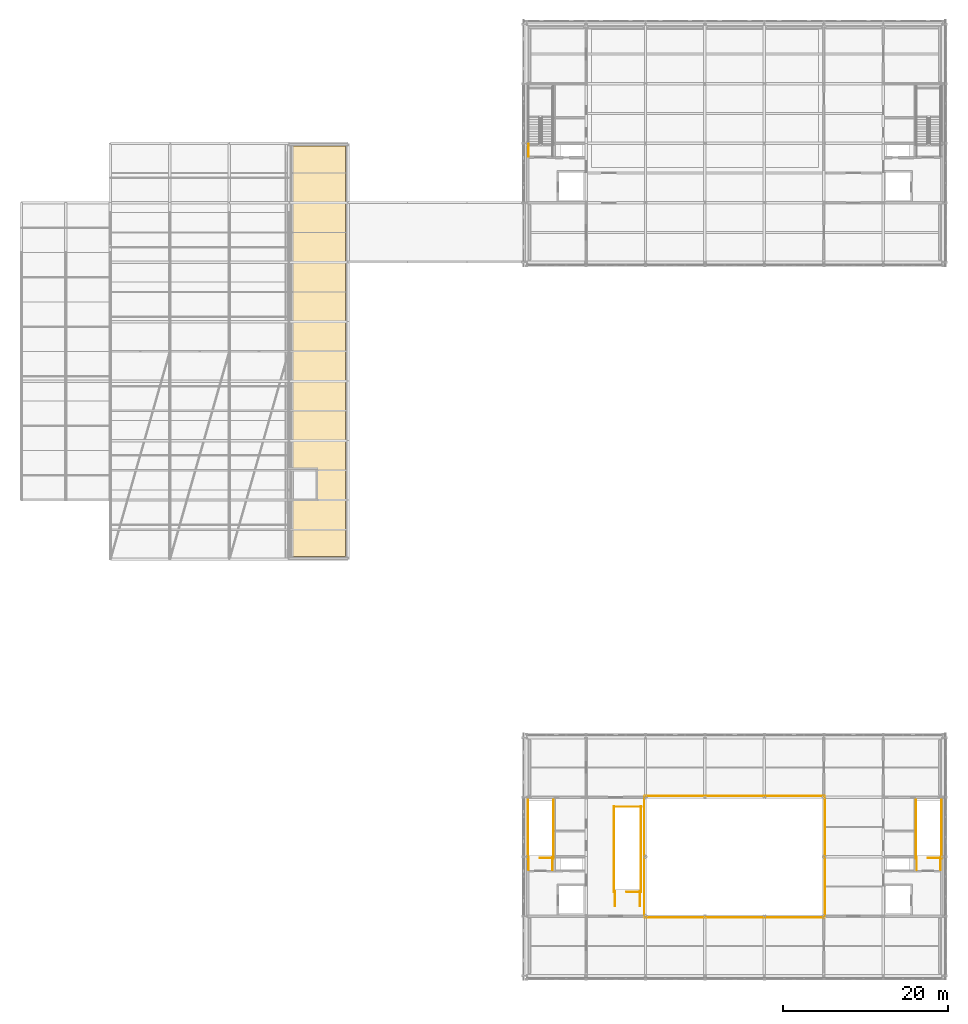
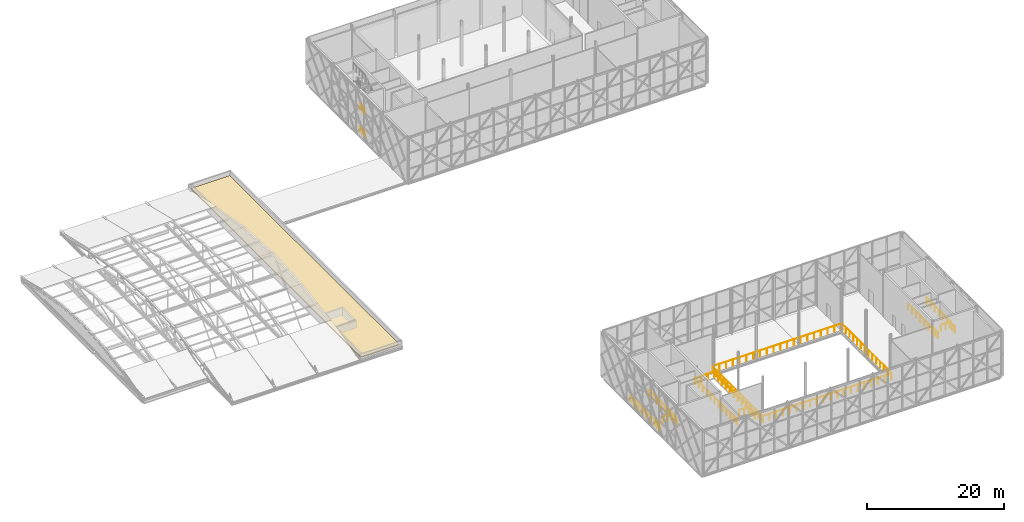
# One storey, part 74 of 76: 22 railings, 1 covering.
"""IFC4 building model written with IfcOpenShell, lengths in metres."""

from ifc_helpers import new_model, si_unit, direction, frame, origin, origin_2d, place, context, subcontext, project, spatial, polyline, circle, outline, extrude, material, layer, layer_set, type_object, element, save


model = new_model("IFC4")

# Units and contexts
model_context = context("Model", 3, precision=1e-05, world=origin(), true_north=direction((0.0, 1.0)))
body_context = subcontext(model_context, "Body", "Model", "MODEL_VIEW")
ifc_project = project(units=[si_unit("LENGTHUNIT", "METRE"), si_unit("AREAUNIT", "SQUARE_METRE"), si_unit("VOLUMEUNIT", "CUBIC_METRE"), si_unit("PLANEANGLEUNIT", "RADIAN"), si_unit("MASSUNIT", "GRAM", prefix="KILO")], contexts=[model_context])

# Site, building, storey
site_placement = place(None, origin())
site = spatial("IfcSite", under=ifc_project, at=site_placement, CompositionType="ELEMENT")
building_placement = place(site_placement, origin())
building = spatial("IfcBuilding", under=site, at=building_placement, Name="Zlatovets Crest Museum", CompositionType="ELEMENT")
storey_placement = place(building_placement, frame((0.0, 0.0, 17.10009765625)))
storey = spatial("IfcBuildingStorey", under=building, at=storey_placement, Name="L04", CompositionType="ELEMENT", Elevation=17.10009765625)

# Railings
ifc_material_1 = material(Name="Art Nouveau bronze and laminated glass atrium balustrade", Category="glass")
railing_type_1 = type_object("IfcRailingType", Name="AtriumGuard_AG01", PredefinedType="BALUSTRADE", material=ifc_material_1)
railing_1_placement = place(storey_placement, frame((71.39990234375, 10.14990234375, 0.0)))
element("IfcRailing", 1, at=railing_1_placement, inside=storey, type_object=railing_type_1, Name="L04 ST6 top well guard 1", PredefinedType="BALUSTRADE", context=body_context, shape_type="SweptSolid", body=[
    extrude(circle(Radius=0.02392578125, at=origin_2d()), frame((0.0, 0.0, 1.076171875), z_axis=(-1.0, 0.0, 0.0), x_axis=(0.0, -1.0, 0.0)), (0.0, 0.0, 1.0), 1.699951171875),
    extrude(circle(Radius=0.02099609375, at=origin_2d()), origin(), (0.0, 0.0, 1.0), 1.052001953125),
    extrude(circle(Radius=0.02099609375, at=origin_2d()), frame((-0.85009765625, 0.0, 0.0)), (0.0, 0.0, 1.0), 1.052001953125),
    extrude(circle(Radius=0.02099609375, at=origin_2d()), frame((-1.699951171875, 0.0, 0.0)), (0.0, 0.0, 1.0), 1.052001953125),
])
for number, where, name in (
    (2, (71.449951171875, 10.10009765625, 0.0), "L04 ST6 top well guard 2"),
    (3, (68.199951171875, 10.10009765625, 0.0), "L04 ST6 top well guard 3"),
):
    element("IfcRailing", number, at=place(storey_placement, frame(where)), inside=storey, type_object=railing_type_1, Name=name, PredefinedType="BALUSTRADE", context=body_context, shape_type="SweptSolid", body=[
        extrude(circle(Radius=0.02392578125, at=origin_2d()), frame((0.0, 0.0, 1.076171875), z_axis=(0.0, 1.0, 0.0), x_axis=(-1.0, 0.0, 0.0)), (0.0, 0.0, 1.0), 10.39990234375),
        extrude(circle(Radius=0.02099609375, at=origin_2d()), origin(), (0.0, 0.0, 1.0), 1.052001953125),
        extrude(circle(Radius=0.02099609375, at=origin_2d()), frame((0.0, 1.155517578125, 0.0)), (0.0, 0.0, 1.0), 1.052001953125),
        extrude(circle(Radius=0.02099609375, at=origin_2d()), frame((0.0, 2.31103515625, 0.0)), (0.0, 0.0, 1.0), 1.052001953125),
        extrude(circle(Radius=0.02099609375, at=origin_2d()), frame((0.0, 3.466552734375, 0.0)), (0.0, 0.0, 1.0), 1.052001953125),
        extrude(circle(Radius=0.02099609375, at=origin_2d()), frame((0.0, 4.6220703125, 0.0)), (0.0, 0.0, 1.0), 1.052001953125),
        extrude(circle(Radius=0.02099609375, at=origin_2d()), frame((0.0, 5.77783203125, 0.0)), (0.0, 0.0, 1.0), 1.052001953125),
        extrude(circle(Radius=0.02099609375, at=origin_2d()), frame((0.0, 6.933349609375, 0.0)), (0.0, 0.0, 1.0), 1.052001953125),
        extrude(circle(Radius=0.02099609375, at=origin_2d()), frame((0.0, 8.0888671875, 0.0)), (0.0, 0.0, 1.0), 1.052001953125),
        extrude(circle(Radius=0.02099609375, at=origin_2d()), frame((0.0, 9.244384765625, 0.0)), (0.0, 0.0, 1.0), 1.052001953125),
        extrude(circle(Radius=0.02099609375, at=origin_2d()), frame((0.0, 10.39990234375, 0.0)), (0.0, 0.0, 1.0), 1.052001953125),
    ])
railing_2_placement = place(storey_placement, frame((71.5, 20.449951171875, 0.0)))
element("IfcRailing", 4, at=railing_2_placement, inside=storey, type_object=railing_type_1, Name="L04 ST6 top well guard 4", PredefinedType="BALUSTRADE", context=body_context, shape_type="SweptSolid", body=[
    extrude(circle(Radius=0.02392578125, at=origin_2d()), frame((0.0, 0.0, 1.076171875), z_axis=(-1.0, 0.0, 0.0), x_axis=(0.0, -1.0, 0.0)), (0.0, 0.0, 1.0), 3.35009765625),
    extrude(circle(Radius=0.02099609375, at=origin_2d()), origin(), (0.0, 0.0, 1.0), 1.052001953125),
    extrude(circle(Radius=0.02099609375, at=origin_2d()), frame((-1.11669921875, 0.0, 0.0)), (0.0, 0.0, 1.0), 1.052001953125),
    extrude(circle(Radius=0.02099609375, at=origin_2d()), frame((-2.2333984375, 0.0, 0.0)), (0.0, 0.0, 1.0), 1.052001953125),
    extrude(circle(Radius=0.02099609375, at=origin_2d()), frame((-3.35009765625, 0.0, 0.0)), (0.0, 0.0, 1.0), 1.052001953125),
])
for number, where, name in (
    (5, (71.35009765625, 8.39990234375, 0.0), "L04 ST6 top well guard 5"),
    (6, (68.300048828125, 8.39990234375, 0.0), "L04 ST6 top well guard 6"),
):
    element("IfcRailing", number, at=place(storey_placement, frame(where)), inside=storey, type_object=railing_type_1, Name=name, PredefinedType="BALUSTRADE", context=body_context, shape_type="SweptSolid", body=[
        extrude(circle(Radius=0.02392578125, at=origin_2d()), frame((0.0, 0.0, 1.076171875), z_axis=(0.0, 1.0, 0.0), x_axis=(-1.0, 0.0, 0.0)), (0.0, 0.0, 1.0), 1.800048828125),
        extrude(circle(Radius=0.02099609375, at=origin_2d()), origin(), (0.0, 0.0, 1.0), 1.052001953125),
        extrude(circle(Radius=0.02099609375, at=origin_2d()), frame((0.0, 0.89990234375, 0.0)), (0.0, 0.0, 1.0), 1.052001953125),
        extrude(circle(Radius=0.02099609375, at=origin_2d()), frame((0.0, 1.800048828125, 0.0)), (0.0, 0.0, 1.0), 1.052001953125),
    ])
railing_3_placement = place(storey_placement, frame((71.929931640625, 7.050048828125, 0.0)))
element("IfcRailing", 7, at=railing_3_placement, inside=storey, type_object=railing_type_1, Name="Atrium Void Balustrade L04 S", PredefinedType="BALUSTRADE", context=body_context, shape_type="SweptSolid", body=[
    extrude(circle(Radius=0.02392578125, at=origin_2d()), frame((0.0, 0.0, 1.1259765625), z_axis=(1.0, 0.0, 0.0), x_axis=(0.0, 1.0, 0.0)), (0.0, 0.0, 1.0), 21.739990234375),
    extrude(circle(Radius=0.02099609375, at=origin_2d()), origin(), (0.0, 0.0, 1.0), 1.101806640625),
    extrude(circle(Radius=0.02099609375, at=origin_2d()), frame((1.144287109375, 0.0, 0.0)), (0.0, 0.0, 1.0), 1.101806640625),
    extrude(circle(Radius=0.02099609375, at=origin_2d()), frame((2.288330078125, 0.0, 0.0)), (0.0, 0.0, 1.0), 1.101806640625),
    extrude(circle(Radius=0.02099609375, at=origin_2d()), frame((3.4326171875, 0.0, 0.0)), (0.0, 0.0, 1.0), 1.101806640625),
    extrude(circle(Radius=0.02099609375, at=origin_2d()), frame((4.576904296875, 0.0, 0.0)), (0.0, 0.0, 1.0), 1.101806640625),
    extrude(circle(Radius=0.02099609375, at=origin_2d()), frame((5.720947265625, 0.0, 0.0)), (0.0, 0.0, 1.0), 1.101806640625),
    extrude(circle(Radius=0.02099609375, at=origin_2d()), frame((6.865234375, 0.0, 0.0)), (0.0, 0.0, 1.0), 1.101806640625),
    extrude(circle(Radius=0.02099609375, at=origin_2d()), frame((8.009521484375, 0.0, 0.0)), (0.0, 0.0, 1.0), 1.101806640625),
    extrude(circle(Radius=0.02099609375, at=origin_2d()), frame((9.153564453125, 0.0, 0.0)), (0.0, 0.0, 1.0), 1.101806640625),
    extrude(circle(Radius=0.02099609375, at=origin_2d()), frame((10.2978515625, 0.0, 0.0)), (0.0, 0.0, 1.0), 1.101806640625),
    extrude(circle(Radius=0.02099609375, at=origin_2d()), frame((11.442138671875, 0.0, 0.0)), (0.0, 0.0, 1.0), 1.101806640625),
    extrude(circle(Radius=0.02099609375, at=origin_2d()), frame((12.58642578125, 0.0, 0.0)), (0.0, 0.0, 1.0), 1.101806640625),
    extrude(circle(Radius=0.02099609375, at=origin_2d()), frame((13.73046875, 0.0, 0.0)), (0.0, 0.0, 1.0), 1.101806640625),
    extrude(circle(Radius=0.02099609375, at=origin_2d()), frame((14.874755859375, 0.0, 0.0)), (0.0, 0.0, 1.0), 1.101806640625),
    extrude(circle(Radius=0.02099609375, at=origin_2d()), frame((16.01904296875, 0.0, 0.0)), (0.0, 0.0, 1.0), 1.101806640625),
    extrude(circle(Radius=0.02099609375, at=origin_2d()), frame((17.1630859375, 0.0, 0.0)), (0.0, 0.0, 1.0), 1.101806640625),
    extrude(circle(Radius=0.02099609375, at=origin_2d()), frame((18.307373046875, 0.0, 0.0)), (0.0, 0.0, 1.0), 1.101806640625),
    extrude(circle(Radius=0.02099609375, at=origin_2d()), frame((19.45166015625, 0.0, 0.0)), (0.0, 0.0, 1.0), 1.101806640625),
    extrude(circle(Radius=0.02099609375, at=origin_2d()), frame((20.595703125, 0.0, 0.0)), (0.0, 0.0, 1.0), 1.101806640625),
    extrude(circle(Radius=0.02099609375, at=origin_2d()), frame((21.739990234375, 0.0, 0.0)), (0.0, 0.0, 1.0), 1.101806640625),
])
railing_4_placement = place(storey_placement, frame((93.75, 7.1298828125, 0.0)))
element("IfcRailing", 8, at=railing_4_placement, inside=storey, type_object=railing_type_1, Name="Atrium Void Balustrade L04 E", PredefinedType="BALUSTRADE", context=body_context, shape_type="SweptSolid", body=[
    extrude(circle(Radius=0.02392578125, at=origin_2d()), frame((0.0, 0.0, 1.1259765625), z_axis=(0.0, 1.0, 0.0), x_axis=(-1.0, 0.0, 0.0)), (0.0, 0.0, 1.0), 14.5400390625),
    extrude(circle(Radius=0.02099609375, at=origin_2d()), origin(), (0.0, 0.0, 1.0), 1.101806640625),
    extrude(circle(Radius=0.02099609375, at=origin_2d()), frame((0.0, 1.118408203125, 0.0)), (0.0, 0.0, 1.0), 1.101806640625),
    extrude(circle(Radius=0.02099609375, at=origin_2d()), frame((0.0, 2.23681640625, 0.0)), (0.0, 0.0, 1.0), 1.101806640625),
    extrude(circle(Radius=0.02099609375, at=origin_2d()), frame((0.0, 3.35546875, 0.0)), (0.0, 0.0, 1.0), 1.101806640625),
    extrude(circle(Radius=0.02099609375, at=origin_2d()), frame((0.0, 4.473876953125, 0.0)), (0.0, 0.0, 1.0), 1.101806640625),
    extrude(circle(Radius=0.02099609375, at=origin_2d()), frame((0.0, 5.59228515625, 0.0)), (0.0, 0.0, 1.0), 1.101806640625),
    extrude(circle(Radius=0.02099609375, at=origin_2d()), frame((0.0, 6.710693359375, 0.0)), (0.0, 0.0, 1.0), 1.101806640625),
    extrude(circle(Radius=0.02099609375, at=origin_2d()), frame((0.0, 7.829345703125, 0.0)), (0.0, 0.0, 1.0), 1.101806640625),
    extrude(circle(Radius=0.02099609375, at=origin_2d()), frame((0.0, 8.94775390625, 0.0)), (0.0, 0.0, 1.0), 1.101806640625),
    extrude(circle(Radius=0.02099609375, at=origin_2d()), frame((0.0, 10.066162109375, 0.0)), (0.0, 0.0, 1.0), 1.101806640625),
    extrude(circle(Radius=0.02099609375, at=origin_2d()), frame((0.0, 11.1845703125, 0.0)), (0.0, 0.0, 1.0), 1.101806640625),
    extrude(circle(Radius=0.02099609375, at=origin_2d()), frame((0.0, 12.30322265625, 0.0)), (0.0, 0.0, 1.0), 1.101806640625),
    extrude(circle(Radius=0.02099609375, at=origin_2d()), frame((0.0, 13.421630859375, 0.0)), (0.0, 0.0, 1.0), 1.101806640625),
    extrude(circle(Radius=0.02099609375, at=origin_2d()), frame((0.0, 14.5400390625, 0.0)), (0.0, 0.0, 1.0), 1.101806640625),
])
railing_5_placement = place(storey_placement, frame((93.669921875, 21.75, 0.0)))
element("IfcRailing", 9, at=railing_5_placement, inside=storey, type_object=railing_type_1, Name="Atrium Void Balustrade L04 N", PredefinedType="BALUSTRADE", context=body_context, shape_type="SweptSolid", body=[
    extrude(circle(Radius=0.02392578125, at=origin_2d()), frame((0.0, 0.0, 1.1259765625), z_axis=(-1.0, 0.0, 0.0), x_axis=(0.0, -1.0, 0.0)), (0.0, 0.0, 1.0), 21.739990234375),
    extrude(circle(Radius=0.02099609375, at=origin_2d()), origin(), (0.0, 0.0, 1.0), 1.101806640625),
    extrude(circle(Radius=0.02099609375, at=origin_2d()), frame((-1.144287109375, 0.0, 0.0)), (0.0, 0.0, 1.0), 1.101806640625),
    extrude(circle(Radius=0.02099609375, at=origin_2d()), frame((-2.288330078125, 0.0, 0.0)), (0.0, 0.0, 1.0), 1.101806640625),
    extrude(circle(Radius=0.02099609375, at=origin_2d()), frame((-3.4326171875, 0.0, 0.0)), (0.0, 0.0, 1.0), 1.101806640625),
    extrude(circle(Radius=0.02099609375, at=origin_2d()), frame((-4.576904296875, 0.0, 0.0)), (0.0, 0.0, 1.0), 1.101806640625),
    extrude(circle(Radius=0.02099609375, at=origin_2d()), frame((-5.720947265625, 0.0, 0.0)), (0.0, 0.0, 1.0), 1.101806640625),
    extrude(circle(Radius=0.02099609375, at=origin_2d()), frame((-6.865234375, 0.0, 0.0)), (0.0, 0.0, 1.0), 1.101806640625),
    extrude(circle(Radius=0.02099609375, at=origin_2d()), frame((-8.009521484375, 0.0, 0.0)), (0.0, 0.0, 1.0), 1.101806640625),
    extrude(circle(Radius=0.02099609375, at=origin_2d()), frame((-9.153564453125, 0.0, 0.0)), (0.0, 0.0, 1.0), 1.101806640625),
    extrude(circle(Radius=0.02099609375, at=origin_2d()), frame((-10.2978515625, 0.0, 0.0)), (0.0, 0.0, 1.0), 1.101806640625),
    extrude(circle(Radius=0.02099609375, at=origin_2d()), frame((-11.442138671875, 0.0, 0.0)), (0.0, 0.0, 1.0), 1.101806640625),
    extrude(circle(Radius=0.02099609375, at=origin_2d()), frame((-12.58642578125, 0.0, 0.0)), (0.0, 0.0, 1.0), 1.101806640625),
    extrude(circle(Radius=0.02099609375, at=origin_2d()), frame((-13.73046875, 0.0, 0.0)), (0.0, 0.0, 1.0), 1.101806640625),
    extrude(circle(Radius=0.02099609375, at=origin_2d()), frame((-14.874755859375, 0.0, 0.0)), (0.0, 0.0, 1.0), 1.101806640625),
    extrude(circle(Radius=0.02099609375, at=origin_2d()), frame((-16.01904296875, 0.0, 0.0)), (0.0, 0.0, 1.0), 1.101806640625),
    extrude(circle(Radius=0.02099609375, at=origin_2d()), frame((-17.1630859375, 0.0, 0.0)), (0.0, 0.0, 1.0), 1.101806640625),
    extrude(circle(Radius=0.02099609375, at=origin_2d()), frame((-18.307373046875, 0.0, 0.0)), (0.0, 0.0, 1.0), 1.101806640625),
    extrude(circle(Radius=0.02099609375, at=origin_2d()), frame((-19.45166015625, 0.0, 0.0)), (0.0, 0.0, 1.0), 1.101806640625),
    extrude(circle(Radius=0.02099609375, at=origin_2d()), frame((-20.595703125, 0.0, 0.0)), (0.0, 0.0, 1.0), 1.101806640625),
    extrude(circle(Radius=0.02099609375, at=origin_2d()), frame((-21.739990234375, 0.0, 0.0)), (0.0, 0.0, 1.0), 1.101806640625),
])
railing_6_placement = place(storey_placement, frame((71.85009765625, 21.669921875, 0.0)))
element("IfcRailing", 10, at=railing_6_placement, inside=storey, type_object=railing_type_1, Name="Atrium Void Balustrade L04 W", PredefinedType="BALUSTRADE", context=body_context, shape_type="SweptSolid", body=[
    extrude(circle(Radius=0.02392578125, at=origin_2d()), frame((0.0, 0.0, 1.1259765625), z_axis=(0.0, -1.0, 0.0), x_axis=(1.0, 0.0, 0.0)), (0.0, 0.0, 1.0), 14.5400390625),
    extrude(circle(Radius=0.02099609375, at=origin_2d()), origin(), (0.0, 0.0, 1.0), 1.101806640625),
    extrude(circle(Radius=0.02099609375, at=origin_2d()), frame((0.0, -1.118408203125, 0.0)), (0.0, 0.0, 1.0), 1.101806640625),
    extrude(circle(Radius=0.02099609375, at=origin_2d()), frame((0.0, -2.23681640625, 0.0)), (0.0, 0.0, 1.0), 1.101806640625),
    extrude(circle(Radius=0.02099609375, at=origin_2d()), frame((0.0, -3.35546875, 0.0)), (0.0, 0.0, 1.0), 1.101806640625),
    extrude(circle(Radius=0.02099609375, at=origin_2d()), frame((0.0, -4.473876953125, 0.0)), (0.0, 0.0, 1.0), 1.101806640625),
    extrude(circle(Radius=0.02099609375, at=origin_2d()), frame((0.0, -5.59228515625, 0.0)), (0.0, 0.0, 1.0), 1.101806640625),
    extrude(circle(Radius=0.02099609375, at=origin_2d()), frame((0.0, -6.710693359375, 0.0)), (0.0, 0.0, 1.0), 1.101806640625),
    extrude(circle(Radius=0.02099609375, at=origin_2d()), frame((0.0, -7.829345703125, 0.0)), (0.0, 0.0, 1.0), 1.101806640625),
    extrude(circle(Radius=0.02099609375, at=origin_2d()), frame((0.0, -8.94775390625, 0.0)), (0.0, 0.0, 1.0), 1.101806640625),
    extrude(circle(Radius=0.02099609375, at=origin_2d()), frame((0.0, -10.066162109375, 0.0)), (0.0, 0.0, 1.0), 1.101806640625),
    extrude(circle(Radius=0.02099609375, at=origin_2d()), frame((0.0, -11.1845703125, 0.0)), (0.0, 0.0, 1.0), 1.101806640625),
    extrude(circle(Radius=0.02099609375, at=origin_2d()), frame((0.0, -12.30322265625, 0.0)), (0.0, 0.0, 1.0), 1.101806640625),
    extrude(circle(Radius=0.02099609375, at=origin_2d()), frame((0.0, -13.421630859375, 0.0)), (0.0, 0.0, 1.0), 1.101806640625),
    extrude(circle(Radius=0.02099609375, at=origin_2d()), frame((0.0, -14.5400390625, 0.0)), (0.0, 0.0, 1.0), 1.101806640625),
])

# Covering
ifc_material_2 = material(Name="Planted sedum and perennial roof-garden substrate")
ifc_layer = layer(ifc_material_2, 0.179931640625)
ifc_layer_set = layer_set([ifc_layer], Name="Planted sedum and perennial roof-garden substrate")
covering_type = type_object("IfcCoveringType", Name="RoofCov_Garden", PredefinedType="ROOFING", material=ifc_layer_set)
covering_placement = place(storey_placement, origin())
element("IfcCovering", 11, at=covering_placement, inside=storey, type_object=covering_type, Name="V4E L04 Planted Sedum Green Roof", PredefinedType="ROOFING", context=body_context, shape_type="SweptSolid", body=[
    extrude(outline(polyline([(35.64990234375, 50.75), (35.64990234375, 100.449951171875), (29.14990234375, 100.449951171875), (29.14990234375, 50.75), (35.64990234375, 50.75)])), origin(), (0.0, 0.0, 1.0), 0.179931640625),
])

# Railings
ifc_material_3 = material(Name="Painted steel safety guardrail", Category="steel")
railing_type_2 = type_object("IfcRailingType", Name="StairGuard_SG01", PredefinedType="GUARDRAIL", material=ifc_material_3)
for number, where, name in (
    (12, (57.85009765625, 99.199951171875, 4.0498046875), "L04 ST1 stair guard 8"),
    (13, (57.85009765625, 99.199951171875, 0.0), "L04 ST1 stair guard 16"),
):
    element("IfcRailing", number, at=place(storey_placement, frame(where)), inside=storey, type_object=railing_type_2, Name=name, PredefinedType="GUARDRAIL", context=body_context, shape_type="SweptSolid", body=[
        extrude(circle(Radius=0.02392578125, at=origin_2d()), frame((0.0, 0.0, 1.076171875), z_axis=(0.0, 1.0, 0.0), x_axis=(-1.0, 0.0, 0.0)), (0.0, 0.0, 1.0), 1.5),
        extrude(circle(Radius=0.02099609375, at=origin_2d()), origin(), (0.0, 0.0, 1.0), 1.052001953125),
        extrude(circle(Radius=0.02099609375, at=origin_2d()), frame((0.0, 0.75, 0.0)), (0.0, 0.0, 1.0), 1.052001953125),
        extrude(circle(Radius=0.02099609375, at=origin_2d()), frame((0.0, 1.5, 0.0)), (0.0, 0.0, 1.0), 1.052001953125),
    ])
railing_7_placement = place(storey_placement, frame((60.800048828125, 14.25, 0.0)))
element("IfcRailing", 14, at=railing_7_placement, inside=storey, type_object=railing_type_2, Name="L04 ST2 top well guard 1", PredefinedType="GUARDRAIL", context=body_context, shape_type="SweptSolid", body=[
    extrude(circle(Radius=0.02392578125, at=origin_2d()), frame((0.0, 0.0, 1.076171875), z_axis=(-1.0, 0.0, 0.0), x_axis=(0.0, -1.0, 0.0)), (0.0, 0.0, 1.0), 1.60009765625),
    extrude(circle(Radius=0.02099609375, at=origin_2d()), origin(), (0.0, 0.0, 1.0), 1.052001953125),
    extrude(circle(Radius=0.02099609375, at=origin_2d()), frame((-0.800048828125, 0.0, 0.0)), (0.0, 0.0, 1.0), 1.052001953125),
    extrude(circle(Radius=0.02099609375, at=origin_2d()), frame((-1.60009765625, 0.0, 0.0)), (0.0, 0.0, 1.0), 1.052001953125),
])
for number, where, name in (
    (15, (60.85009765625, 14.199951171875, 0.0), "L04 ST2 top well guard 2"),
    (16, (57.75, 14.199951171875, 0.0), "L04 ST2 top well guard 3"),
):
    element("IfcRailing", number, at=place(storey_placement, frame(where)), inside=storey, type_object=railing_type_2, Name=name, PredefinedType="GUARDRAIL", context=body_context, shape_type="SweptSolid", body=[
        extrude(circle(Radius=0.02392578125, at=origin_2d()), frame((0.0, 0.0, 1.076171875), z_axis=(0.0, 1.0, 0.0), x_axis=(-1.0, 0.0, 0.0)), (0.0, 0.0, 1.0), 7.10009765625),
        extrude(circle(Radius=0.02099609375, at=origin_2d()), origin(), (0.0, 0.0, 1.0), 1.052001953125),
        extrude(circle(Radius=0.02099609375, at=origin_2d()), frame((0.0, 1.183349609375, 0.0)), (0.0, 0.0, 1.0), 1.052001953125),
        extrude(circle(Radius=0.02099609375, at=origin_2d()), frame((0.0, 2.36669921875, 0.0)), (0.0, 0.0, 1.0), 1.052001953125),
        extrude(circle(Radius=0.02099609375, at=origin_2d()), frame((0.0, 3.550048828125, 0.0)), (0.0, 0.0, 1.0), 1.052001953125),
        extrude(circle(Radius=0.02099609375, at=origin_2d()), frame((0.0, 4.7333984375, 0.0)), (0.0, 0.0, 1.0), 1.052001953125),
        extrude(circle(Radius=0.02099609375, at=origin_2d()), frame((0.0, 5.916748046875, 0.0)), (0.0, 0.0, 1.0), 1.052001953125),
        extrude(circle(Radius=0.02099609375, at=origin_2d()), frame((0.0, 7.10009765625, 0.0)), (0.0, 0.0, 1.0), 1.052001953125),
    ])
for number, where, name in (
    (17, (60.75, 12.800048828125, 0.0), "L04 ST2 top well guard 4"),
    (18, (57.85009765625, 12.800048828125, 0.0), "L04 ST2 top well guard 5"),
):
    element("IfcRailing", number, at=place(storey_placement, frame(where)), inside=storey, type_object=railing_type_2, Name=name, PredefinedType="GUARDRAIL", context=body_context, shape_type="SweptSolid", body=[
        extrude(circle(Radius=0.02392578125, at=origin_2d()), frame((0.0, 0.0, 1.076171875), z_axis=(0.0, 1.0, 0.0), x_axis=(-1.0, 0.0, 0.0)), (0.0, 0.0, 1.0), 1.5),
        extrude(circle(Radius=0.02099609375, at=origin_2d()), origin(), (0.0, 0.0, 1.0), 1.052001953125),
        extrude(circle(Radius=0.02099609375, at=origin_2d()), frame((0.0, 0.75, 0.0)), (0.0, 0.0, 1.0), 1.052001953125),
        extrude(circle(Radius=0.02099609375, at=origin_2d()), frame((0.0, 1.5, 0.0)), (0.0, 0.0, 1.0), 1.052001953125),
    ])
railing_8_placement = place(storey_placement, frame((107.800048828125, 14.25, 0.0)))
element("IfcRailing", 19, at=railing_8_placement, inside=storey, type_object=railing_type_2, Name="L04 ST9 top well guard 1", PredefinedType="GUARDRAIL", context=body_context, shape_type="SweptSolid", body=[
    extrude(circle(Radius=0.02392578125, at=origin_2d()), frame((0.0, 0.0, 1.076171875), z_axis=(-1.0, 0.0, 0.0), x_axis=(0.0, -1.0, 0.0)), (0.0, 0.0, 1.0), 1.60009765625),
    extrude(circle(Radius=0.02099609375, at=origin_2d()), origin(), (0.0, 0.0, 1.0), 1.052001953125),
    extrude(circle(Radius=0.02099609375, at=origin_2d()), frame((-0.800048828125, 0.0, 0.0)), (0.0, 0.0, 1.0), 1.052001953125),
    extrude(circle(Radius=0.02099609375, at=origin_2d()), frame((-1.60009765625, 0.0, 0.0)), (0.0, 0.0, 1.0), 1.052001953125),
])
for number, where, name in (
    (20, (107.85009765625, 14.199951171875, 0.0), "L04 ST9 top well guard 2"),
    (21, (104.75, 14.199951171875, 0.0), "L04 ST9 top well guard 3"),
):
    element("IfcRailing", number, at=place(storey_placement, frame(where)), inside=storey, type_object=railing_type_2, Name=name, PredefinedType="GUARDRAIL", context=body_context, shape_type="SweptSolid", body=[
        extrude(circle(Radius=0.02392578125, at=origin_2d()), frame((0.0, 0.0, 1.076171875), z_axis=(0.0, 1.0, 0.0), x_axis=(-1.0, 0.0, 0.0)), (0.0, 0.0, 1.0), 7.10009765625),
        extrude(circle(Radius=0.02099609375, at=origin_2d()), origin(), (0.0, 0.0, 1.0), 1.052001953125),
        extrude(circle(Radius=0.02099609375, at=origin_2d()), frame((0.0, 1.183349609375, 0.0)), (0.0, 0.0, 1.0), 1.052001953125),
        extrude(circle(Radius=0.02099609375, at=origin_2d()), frame((0.0, 2.36669921875, 0.0)), (0.0, 0.0, 1.0), 1.052001953125),
        extrude(circle(Radius=0.02099609375, at=origin_2d()), frame((0.0, 3.550048828125, 0.0)), (0.0, 0.0, 1.0), 1.052001953125),
        extrude(circle(Radius=0.02099609375, at=origin_2d()), frame((0.0, 4.7333984375, 0.0)), (0.0, 0.0, 1.0), 1.052001953125),
        extrude(circle(Radius=0.02099609375, at=origin_2d()), frame((0.0, 5.916748046875, 0.0)), (0.0, 0.0, 1.0), 1.052001953125),
        extrude(circle(Radius=0.02099609375, at=origin_2d()), frame((0.0, 7.10009765625, 0.0)), (0.0, 0.0, 1.0), 1.052001953125),
    ])
for number, where, name in (
    (22, (107.75, 12.800048828125, 0.0), "L04 ST9 top well guard 4"),
    (23, (104.85009765625, 12.800048828125, 0.0), "L04 ST9 top well guard 5"),
):
    element("IfcRailing", number, at=place(storey_placement, frame(where)), inside=storey, type_object=railing_type_2, Name=name, PredefinedType="GUARDRAIL", context=body_context, shape_type="SweptSolid", body=[
        extrude(circle(Radius=0.02392578125, at=origin_2d()), frame((0.0, 0.0, 1.076171875), z_axis=(0.0, 1.0, 0.0), x_axis=(-1.0, 0.0, 0.0)), (0.0, 0.0, 1.0), 1.5),
        extrude(circle(Radius=0.02099609375, at=origin_2d()), origin(), (0.0, 0.0, 1.0), 1.052001953125),
        extrude(circle(Radius=0.02099609375, at=origin_2d()), frame((0.0, 0.75, 0.0)), (0.0, 0.0, 1.0), 1.052001953125),
        extrude(circle(Radius=0.02099609375, at=origin_2d()), frame((0.0, 1.5, 0.0)), (0.0, 0.0, 1.0), 1.052001953125),
    ])

save(model, "model.ifc")
